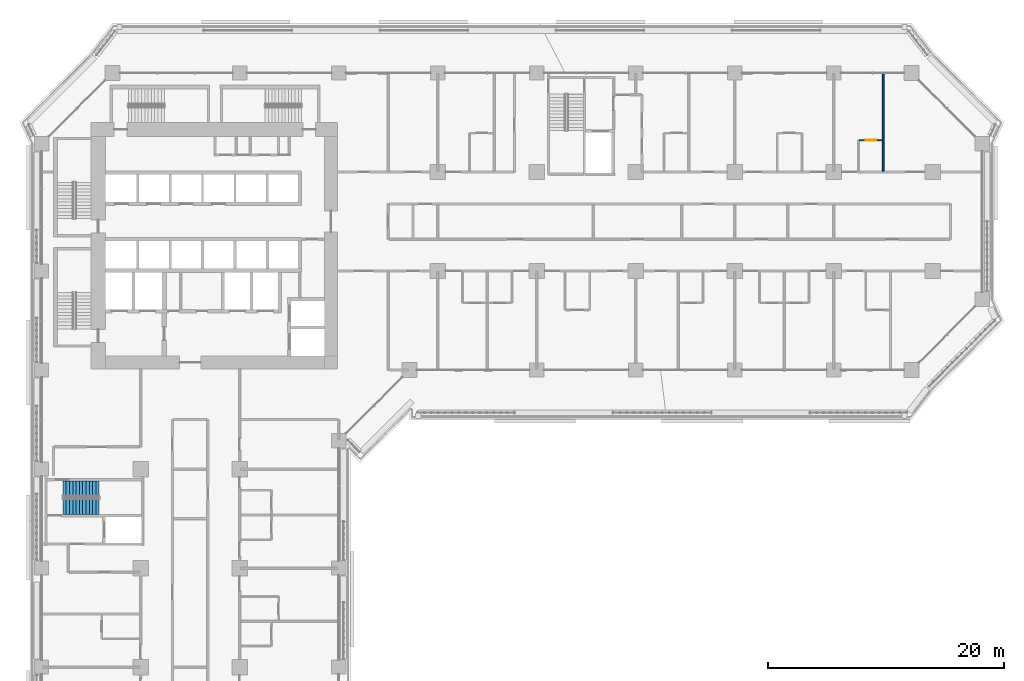
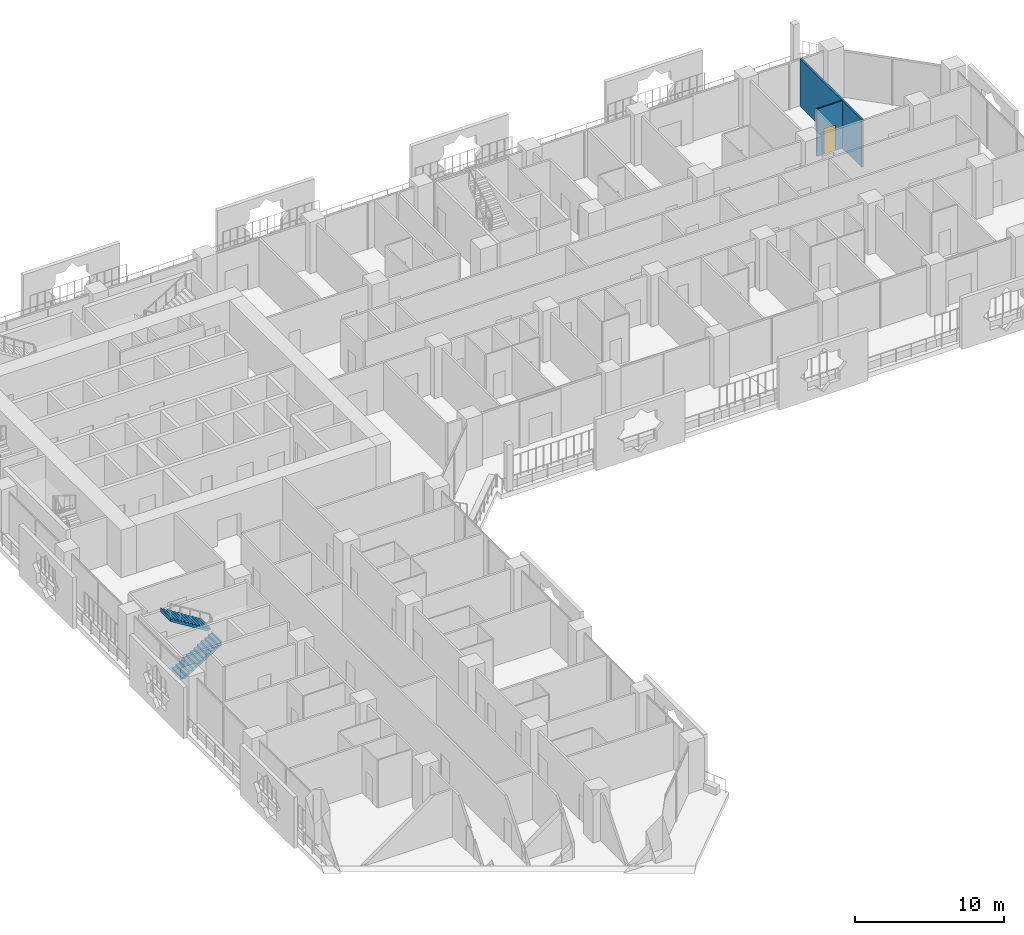
# One storey, part 20 of 29: 2 stair flights, 2 walls, 1 door, 1 opening, 1 element without a shape of its own.
"""IFC4 building model written with IfcOpenShell, lengths in metres."""

from ifc_helpers import new_model, si_unit, direction, frame, frame_2d, origin, place, context, subcontext, project, spatial, polyline, rectangle, outline, extrude, material, layer, layer_set, type_object, element, fill, aggregate, save


model = new_model("IFC4")

# Units and contexts
model_context = context("Model", 3, precision=1e-05, world=origin(), true_north=direction((0.0, 1.0)))
body_context = subcontext(model_context, "Body", "Model", "MODEL_VIEW")
ifc_project = project(units=[si_unit("LENGTHUNIT", "METRE"), si_unit("AREAUNIT", "SQUARE_METRE"), si_unit("VOLUMEUNIT", "CUBIC_METRE"), si_unit("PLANEANGLEUNIT", "RADIAN"), si_unit("MASSUNIT", "GRAM", prefix="KILO")], contexts=[model_context])

# Site, building, storey
site_placement = place(None, origin())
site = spatial("IfcSite", under=ifc_project, at=site_placement, CompositionType="ELEMENT")
building_placement = place(site_placement, origin())
building = spatial("IfcBuilding", under=site, at=building_placement, Name="Kawkab Arch Medical Tower", CompositionType="ELEMENT")
storey_placement = place(building_placement, frame((0.0, 0.0, 64.39990234375)))
storey = spatial("IfcBuildingStorey", under=building, at=storey_placement, Name="L14", CompositionType="ELEMENT", Elevation=64.39990234375)

# Wall, opening, door
ifc_material_1 = material(Name="Gypsum board partition on steel studs", Category="steel")
ifc_layer_1 = layer(ifc_material_1, 0.10009765625)
ifc_layer_set_1 = layer_set([ifc_layer_1], Name="Gypsum board partition on steel studs")
wall_type_1 = type_object("IfcWallType", Name="Partition 100", PredefinedType="PARTITIONING", material=ifc_layer_set_1)
wall_1_placement = place(storey_placement, frame((69.35009765625, -5.699951171875, 0.0), z_axis=(0.0, 0.0, 1.0), x_axis=(1.0, 0.0, 0.0)))
wall_1 = element("IfcWall", 1, at=wall_1_placement, inside=storey, type_object=wall_type_1, Name="Partition 100 w015", PredefinedType="PARTITIONING", context=body_context, shape_type="SweptSolid", body=[
    extrude(rectangle(XDim=1.974853515625, YDim=0.10009765625, at=frame_2d((0.9873046875, 0.0))), origin(), (0.0, 0.0, 1.0), 3.900146484375),
])
opening_placement = place(wall_1_placement, frame((0.550048828125, 0.0, 0.0)))
opening = element("IfcOpeningElement", 2, at=opening_placement, cuts=wall_1, Name="Opening W14-010", PredefinedType="OPENING", context=body_context, shape_type="SweptSolid", body=[
    extrude(rectangle(XDim=0.89990234375, YDim=2.10009765625, at=frame_2d((0.449951171875, 1.050048828125))), frame((0.0, 0.06005859375, 0.0), z_axis=(0.0, -1.0, 0.0), x_axis=(1.0, 0.0, 0.0)), (0.0, 0.0, 1.0), 0.1201171875),
])
ifc_material_2 = material(Name="Timber door leaf", Category="wood")
door_type = type_object("IfcDoorType", Name="Single door 900x2100", OperationType="NOTDEFINED", PredefinedType="DOOR", material=ifc_material_2)
door_placement = place(opening_placement, origin())
door = element("IfcDoor", 3, at=door_placement, inside=storey, type_object=door_type, Name="Door W14-010", OperationType="SINGLE_SWING_LEFT", OverallHeight=2.10009765625, OverallWidth=0.89990234375, PredefinedType="DOOR", context=body_context, shape_type="SweptSolid", body=[
    extrude(rectangle(XDim=0.89990234375, YDim=2.10009765625, at=frame_2d((0.449951171875, 1.050048828125))), frame((0.0, 0.02490234375, 0.0), z_axis=(0.0, -1.0, 0.0), x_axis=(1.0, 0.0, 0.0)), (0.0, 0.0, 1.0), 0.050048828125),
])
fill(opening, door)

# Wall
ifc_material_3 = material(Name="Gypsum board partition on steel studs, mineral wool", Category="steel")
ifc_layer_2 = layer(ifc_material_3, 0.14990234375)
ifc_layer_set_2 = layer_set([ifc_layer_2], Name="Gypsum board partition on steel studs, mineral wool")
wall_type_2 = type_object("IfcWallType", Name="Partition 150", PredefinedType="PARTITIONING", material=ifc_layer_set_2)
wall_2_placement = place(storey_placement, frame((71.39990234375, -8.324951171875, 0.0), z_axis=(0.0, 0.0, 1.0), x_axis=(0.0, 1.0, 0.0)))
element("IfcWall", 4, at=wall_2_placement, inside=storey, type_object=wall_type_2, Name="Partition 150 w107", PredefinedType="PARTITIONING", context=body_context, shape_type="SweptSolid", body=[
    extrude(rectangle(XDim=8.244873046875, YDim=0.14990234375, at=frame_2d((4.12255859375, 0.0))), origin(), (0.0, 0.0, 1.0), 3.900146484375),
])

# Stair, stair flights
ifc_material_4 = material(Name="Concrete C40/50", Category="concrete")
stair_type = type_object("IfcStairType", Name="Exit stair 1350", PredefinedType="HALF_TURN_STAIR", material=ifc_material_4)
stair_placement = place(storey_placement, origin())
stair = element("IfcStair", 5, at=stair_placement, inside=storey, type_object=stair_type, Name="L14 Exit stair ST6", PredefinedType="HALF_TURN_STAIR")
ifc_material_5 = material(Name="Concrete C40/50", Category="concrete")
stair_flight_type = type_object("IfcStairFlightType", Name="Exit stair flight 1350", PredefinedType="STRAIGHT", material=ifc_material_5)
stair_flight_1_placement = place(storey_placement, frame((1.800048828125, -36.77490234375, 0.0), z_axis=(0.0, 0.0, 1.0), x_axis=(1.0, 0.0, 0.0)))
stair_flight_1 = element("IfcStairFlight", 6, at=stair_flight_1_placement, type_object=stair_flight_type, Name="ST6 flight 1", NumberOfRisers=12, NumberOfTreads=11, PredefinedType="STRAIGHT", RiserHeight=0.175, TreadLength=0.28, context=body_context, shape_type="SweptSolid", body=[
    extrude(outline(polyline([(-0.0029296875, 0.0), (-0.0029296875, 0.175048828125), (0.0, 0.175048828125), (0.280029296875, 0.175048828125), (0.280029296875, 0.35009765625), (0.56005859375, 0.35009765625), (0.56005859375, 0.52490234375), (0.840087890625, 0.52490234375), (0.840087890625, 0.699951171875), (1.1201171875, 0.699951171875), (1.1201171875, 0.875), (1.39990234375, 0.875), (1.39990234375, 1.050048828125), (1.679931640625, 1.050048828125), (1.679931640625, 1.22509765625), (1.9599609375, 1.22509765625), (1.9599609375, 1.39990234375), (2.239990234375, 1.39990234375), (2.239990234375, 1.574951171875), (2.52001953125, 1.574951171875), (2.52001953125, 1.75), (2.800048828125, 1.75), (2.800048828125, 1.925048828125), (3.080078125, 1.925048828125), (3.080078125, 2.10009765625), (3.0830078125, 2.10009765625), (3.0830078125, 1.748291015625), (3.080078125, 1.748291015625), (0.28271484375, 0.0), (-0.0029296875, 0.0)])), frame((0.0, 0.675048828125, 0.0), z_axis=(0.0, -1.0, 0.0), x_axis=(1.0, 0.0, 0.0)), (0.0, 0.0, 1.0), 1.35009765625),
])
stair_flight_2_placement = place(storey_placement, frame((4.8798828125, -35.27490234375, 2.10009765625), z_axis=(0.0, 0.0, 1.0), x_axis=(-1.0, 0.0, 0.0)))
stair_flight_2 = element("IfcStairFlight", 7, at=stair_flight_2_placement, type_object=stair_flight_type, Name="ST6 flight 2", NumberOfRisers=12, NumberOfTreads=11, PredefinedType="STRAIGHT", RiserHeight=0.175, TreadLength=0.28, context=body_context, shape_type="SweptSolid", body=[
    extrude(outline(polyline([(-0.0029296875, 0.0), (-0.0029296875, 0.175048828125), (0.0, 0.175048828125), (0.280029296875, 0.175048828125), (0.280029296875, 0.35009765625), (0.56005859375, 0.35009765625), (0.56005859375, 0.52490234375), (0.840087890625, 0.52490234375), (0.840087890625, 0.699951171875), (1.1201171875, 0.699951171875), (1.1201171875, 0.875), (1.39990234375, 0.875), (1.39990234375, 1.050048828125), (1.679931640625, 1.050048828125), (1.679931640625, 1.22509765625), (1.9599609375, 1.22509765625), (1.9599609375, 1.39990234375), (2.239990234375, 1.39990234375), (2.239990234375, 1.574951171875), (2.52001953125, 1.574951171875), (2.52001953125, 1.75), (2.800048828125, 1.75), (2.800048828125, 1.925048828125), (3.080078125, 1.925048828125), (3.080078125, 2.10009765625), (3.0830078125, 2.10009765625), (3.0830078125, 1.748291015625), (3.080078125, 1.748291015625), (0.28271484375, 0.0), (-0.0029296875, 0.0)])), frame((0.0, 0.675048828125, 0.0), z_axis=(0.0, -1.0, 0.0), x_axis=(1.0, 0.0, 0.0)), (0.0, 0.0, 1.0), 1.35009765625),
])
aggregate(stair, [stair_flight_1, stair_flight_2])

save(model, "model.ifc")
